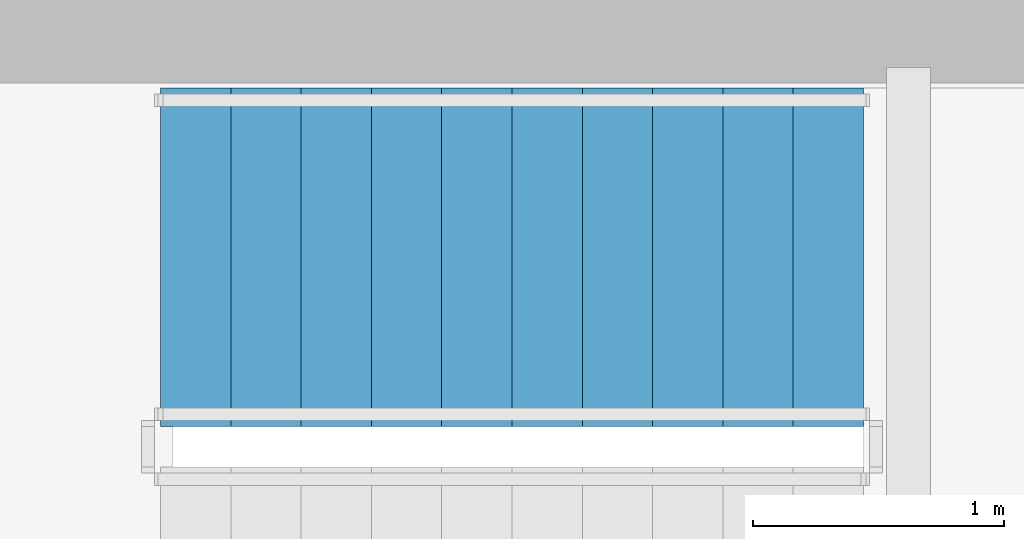
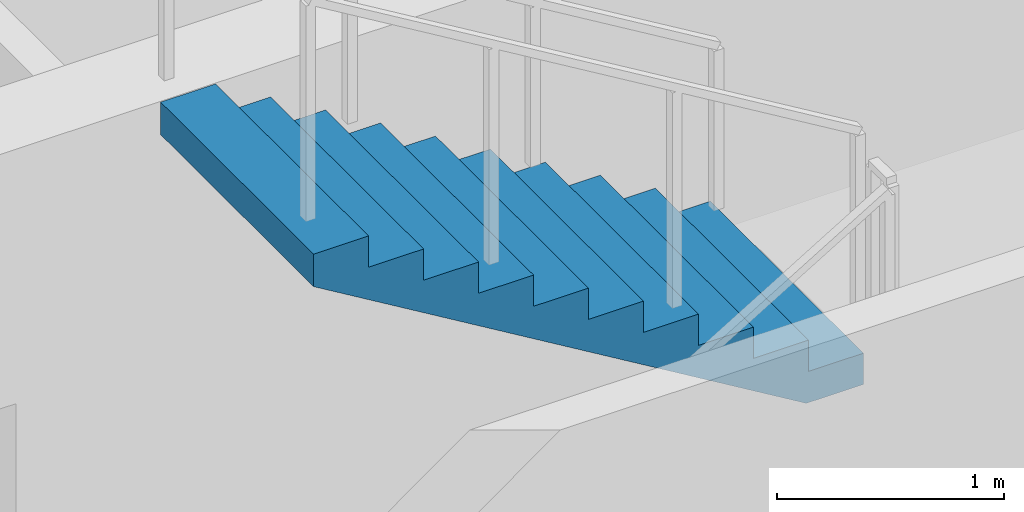
# One storey, part 16 of 18: 1 stair flight, 1 element without a shape of its own.
"""IFC4 building model written with IfcOpenShell, lengths in metres."""

from ifc_helpers import new_model, si_unit, direction, frame, origin, place, context, subcontext, project, spatial, polyline, outline, extrude, material, type_object, element, aggregate, save


model = new_model("IFC4")

# Units and contexts
model_context = context("Model", 3, precision=1e-05, world=origin(), true_north=direction((0.0, 1.0)))
body_context = subcontext(model_context, "Body", "Model", "MODEL_VIEW")
ifc_project = project(units=[si_unit("LENGTHUNIT", "METRE"), si_unit("AREAUNIT", "SQUARE_METRE"), si_unit("VOLUMEUNIT", "CUBIC_METRE"), si_unit("PLANEANGLEUNIT", "RADIAN"), si_unit("MASSUNIT", "GRAM", prefix="KILO")], contexts=[model_context])

# Site, building, storey
site_placement = place(None, origin())
site = spatial("IfcSite", under=ifc_project, at=site_placement, CompositionType="ELEMENT")
building_placement = place(site_placement, origin())
building = spatial("IfcBuilding", under=site, at=building_placement, Name="Qianvela Tower", CompositionType="ELEMENT")
storey_placement = place(building_placement, frame((0.0, 0.0, 264.89990234375)))
storey = spatial("IfcBuildingStorey", under=building, at=storey_placement, Name="L68", CompositionType="ELEMENT", Elevation=264.89990234375)

# Stair, stair flight
ifc_material_1 = material(Name="Concrete C40", Category="concrete")
stair_type = type_object("IfcStairType", Name="ST-DOGLEG-1350-R168-N22", PredefinedType="HALF_TURN_STAIR", material=ifc_material_1)
stair_placement = place(storey_placement, origin())
stair = element("IfcStair", 1, at=stair_placement, inside=storey, type_object=stair_type, Name="L68 Smoke-Proof Core Stair ST-1", PredefinedType="HALF_TURN_STAIR")
ifc_material_2 = material(Name="Concrete C40", Category="concrete")
stair_flight_type = type_object("IfcStairFlightType", Name="STF-STRAIGHT-R168-P11", PredefinedType="STRAIGHT", material=ifc_material_2)
stair_flight_placement = place(storey_placement, frame((35.0, 31.72509765625, 1.85009765625), z_axis=(0.0, 0.0, 1.0), x_axis=(-1.0, 0.0, 0.0)))
stair_flight = element("IfcStairFlight", 2, at=stair_flight_placement, type_object=stair_flight_type, Name="ST-1 flight 2", NumberOfRisers=11, NumberOfTreads=10, PredefinedType="STRAIGHT", RiserHeight=0.168181818, TreadLength=0.28, context=body_context, shape_type="SweptSolid", body=[
    extrude(outline(polyline([(0.0, 0.0), (0.0, 0.168212890625), (0.280029296875, 0.168212890625), (0.280029296875, 0.33642578125), (0.56005859375, 0.33642578125), (0.56005859375, 0.504638671875), (0.840087890625, 0.504638671875), (0.840087890625, 0.672607421875), (1.1201171875, 0.672607421875), (1.1201171875, 0.8408203125), (1.39990234375, 0.8408203125), (1.39990234375, 1.009033203125), (1.679931640625, 1.009033203125), (1.679931640625, 1.17724609375), (1.9599609375, 1.17724609375), (1.9599609375, 1.345458984375), (2.239990234375, 1.345458984375), (2.239990234375, 1.513671875), (2.52001953125, 1.513671875), (2.52001953125, 1.681884765625), (2.800048828125, 1.681884765625), (2.800048828125, 1.85009765625), (2.800048828125, 1.5068359375), (0.291015625, 0.0), (0.0, 0.0)])), frame((0.0, 0.675048828125, 0.0), z_axis=(0.0, -1.0, 0.0), x_axis=(1.0, 0.0, 0.0)), (0.0, 0.0, 1.0), 1.35009765625),
])
aggregate(stair, [stair_flight])

save(model, "model.ifc")
